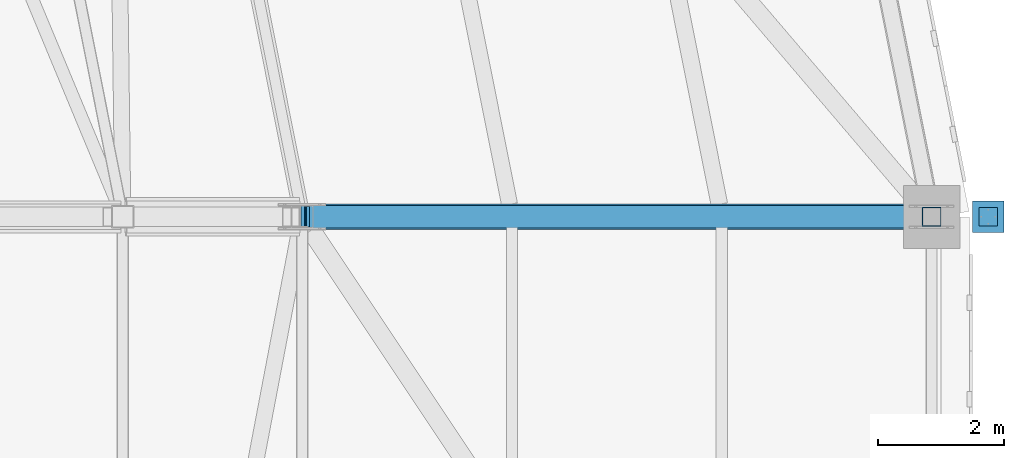
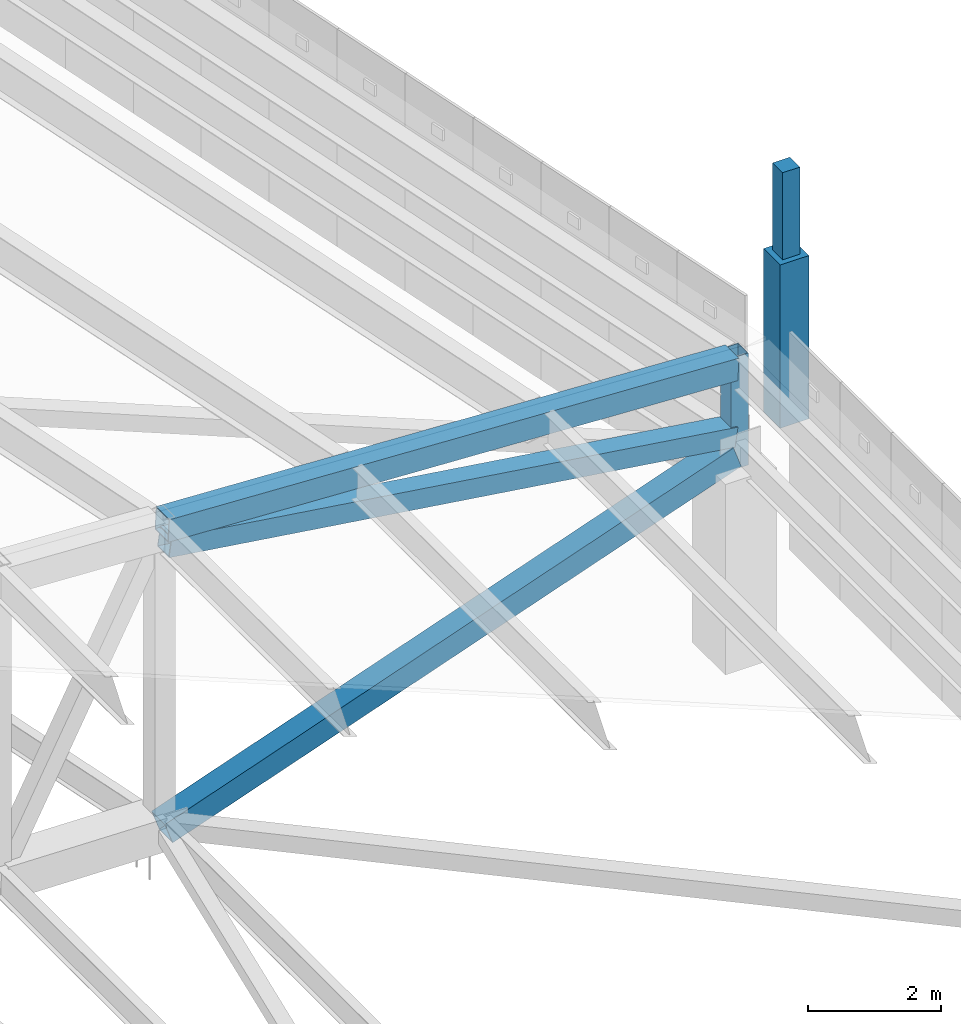
# One storey, part 98 of 278: 3 beams, 3 members.
"""IFC4 building model written with IfcOpenShell, lengths in metres."""

from ifc_helpers import new_model, si_unit, direction, frame, origin, origin_2d, place, context, subcontext, project, spatial, rectangle, hollow_rectangle, extrude, material, material_profile, profile_set, type_object, element, save


model = new_model("IFC4")

# Units and contexts
model_context = context("Model", 3, precision=1e-05, world=origin(), true_north=direction((0.0, 1.0)))
body_context = subcontext(model_context, "Body", "Model", "MODEL_VIEW")
ifc_project = project(units=[si_unit("LENGTHUNIT", "METRE"), si_unit("AREAUNIT", "SQUARE_METRE"), si_unit("VOLUMEUNIT", "CUBIC_METRE"), si_unit("PLANEANGLEUNIT", "RADIAN"), si_unit("MASSUNIT", "GRAM", prefix="KILO")], contexts=[model_context])

# Site, building, storey
site_placement = place(None, origin())
site = spatial("IfcSite", under=ifc_project, at=site_placement, CompositionType="ELEMENT")
building_placement = place(site_placement, origin())
building = spatial("IfcBuilding", under=site, at=building_placement, Name="Ogive Plaza Stadium", CompositionType="ELEMENT")
storey_placement = place(building_placement, frame((0.0, 0.0, 29.0)))
storey = spatial("IfcBuildingStorey", under=building, at=storey_placement, Name="Roof", CompositionType="ELEMENT", Elevation=29.0)

# Members
ifc_material_1 = material(Name="Concrete C45/55 precast", Category="concrete")
ifc_material_profile_1 = material_profile(ifc_material_1, rectangle(XDim=0.5, YDim=0.5, at=origin_2d()), Name="RC 500x500")
ifc_profile_set_1 = profile_set([ifc_material_profile_1], Name="Concrete C45/55 precast")
member_type_1 = type_object("IfcMemberType", Name="Precast pinnacle 500x500", PredefinedType="POST", material=ifc_profile_set_1)
member_1_placement = place(storey_placement, frame((84.89990234375, 52.5, 4.0), z_axis=(0.0, 0.0, 1.0), x_axis=(0.0, 1.0, 0.0)))
element("IfcMember", 1, at=member_1_placement, inside=storey, type_object=member_type_1, Name="PINNACLE R01", PredefinedType="POST", context=body_context, shape_type="SweptSolid", body=[
    extrude(rectangle(XDim=0.5, YDim=0.5, at=origin_2d()), origin(), (0.0, 0.0, 1.0), 3.0),
])
ifc_material_2 = material(Name="Concrete C45/55 precast", Category="concrete")
ifc_material_profile_2 = material_profile(ifc_material_2, rectangle(XDim=0.300048828125, YDim=0.300048828125, at=origin_2d()), Name="RC 300x300")
ifc_profile_set_2 = profile_set([ifc_material_profile_2], Name="Concrete C45/55 precast")
member_type_2 = type_object("IfcMemberType", Name="Precast spire 300x300", PredefinedType="MEMBER", material=ifc_profile_set_2)
member_2_placement = place(storey_placement, frame((84.89990234375, 52.5, 7.0), z_axis=(0.0, 0.0, 1.0), x_axis=(0.0, 1.0, 0.0)))
element("IfcMember", 2, at=member_2_placement, inside=storey, type_object=member_type_2, Name="SPIRE R01", PredefinedType="MEMBER", context=body_context, shape_type="SweptSolid", body=[
    extrude(rectangle(XDim=0.300048828125, YDim=0.300048828125, at=origin_2d()), origin(), (0.0, 0.0, 1.0), 1.60009765625),
])

# Beams
ifc_material_3 = material(Name="Steel ASTM A500 Grade C", Category="steel")
ifc_material_profile_3 = material_profile(ifc_material_3, hollow_rectangle(XDim=0.406494140625, YDim=0.406494140625, WallThickness=0.0146484375, at=origin_2d()), Name="HSS16X16X5/8")
ifc_profile_set_3 = profile_set([ifc_material_profile_3], Name="Steel ASTM A500 Grade C")
beam_type_1 = type_object("IfcBeamType", Name="Roof truss back-span bottom chord HSS16X16X5/8", PredefinedType="BEAM", material=ifc_profile_set_3)
beam_1_placement = place(storey_placement, frame((74.050048828125, 52.5, 0.232666015625), z_axis=(0.943851085966, 0.0, 0.330371196567), x_axis=(0.0, 1.0, 0.0)))
element("IfcBeam", 3, at=beam_1_placement, inside=storey, type_object=beam_type_1, Name="ROOF TRUSS T01 BOTTOM CHORD 11", PredefinedType="BEAM", context=body_context, shape_type="SweptSolid", body=[
    extrude(hollow_rectangle(XDim=0.406494140625, YDim=0.406494140625, WallThickness=0.0146484375, at=origin_2d()), origin(), (0.0, 0.0, 1.0), 10.470703125),
])
ifc_material_4 = material(Name="Steel ASTM A500 Grade C", Category="steel")
ifc_material_profile_4 = material_profile(ifc_material_4, hollow_rectangle(XDim=0.406494140625, YDim=0.406494140625, WallThickness=0.0146484375, at=origin_2d()), Name="HSS16X16X5/8")
ifc_profile_set_4 = profile_set([ifc_material_profile_4], Name="Steel ASTM A500 Grade C")
beam_type_2 = type_object("IfcBeamType", Name="Roof truss back-span top chord HSS16X16X5/8", PredefinedType="BEAM", material=ifc_profile_set_4)
beam_2_placement = place(storey_placement, frame((74.050048828125, 52.5, 5.7939453125), z_axis=(0.998752953021, 0.0, -0.049925332571), x_axis=(0.0, 1.0, 0.0)))
element("IfcBeam", 4, at=beam_2_placement, inside=storey, type_object=beam_type_2, Name="ROOF TRUSS T01 TOP CHORD 11", PredefinedType="BEAM", context=body_context, shape_type="SweptSolid", body=[
    extrude(hollow_rectangle(XDim=0.406494140625, YDim=0.406494140625, WallThickness=0.0146484375, at=origin_2d()), origin(), (0.0, 0.0, 1.0), 9.912353515625),
])

# Member
ifc_material_5 = material(Name="Steel ASTM A500 Grade C", Category="steel")
ifc_material_profile_5 = material_profile(ifc_material_5, hollow_rectangle(XDim=0.355712890625, YDim=0.355712890625, WallThickness=0.0146484375, at=origin_2d()), Name="HSS14X14X5/8")
ifc_profile_set_5 = profile_set([ifc_material_profile_5], Name="Steel ASTM A500 Grade C")
member_type_3 = type_object("IfcMemberType", Name="Roof truss back-stay HSS14X14X5/8", PredefinedType="BRACE", material=ifc_profile_set_5)
member_3_placement = place(storey_placement, frame((74.093017578125, 52.5, 5.45654296875), z_axis=(0.989844100519, 0.0, -0.142157154826), x_axis=(0.0, 1.0, 0.0)))
element("IfcMember", 5, at=member_3_placement, inside=storey, type_object=member_type_3, Name="BACK-STAY T01", PredefinedType="BRACE", context=body_context, shape_type="SweptSolid", body=[
    extrude(hollow_rectangle(XDim=0.355712890625, YDim=0.355712890625, WallThickness=0.0146484375, at=origin_2d()), origin(), (0.0, 0.0, 1.0), 9.9404296875),
])

# Beam
ifc_material_6 = material(Name="Steel ASTM A500 Grade C", Category="steel")
ifc_material_profile_6 = material_profile(ifc_material_6, hollow_rectangle(XDim=0.3046875, YDim=0.3046875, WallThickness=0.01171875, at=origin_2d()), Name="HSS12X12X1/2")
ifc_profile_set_6 = profile_set([ifc_material_profile_6], Name="Steel ASTM A500 Grade C")
beam_type_3 = type_object("IfcBeamType", Name="Roof truss post HSS12X12X1/2", PredefinedType="BEAM", material=ifc_profile_set_6)
beam_3_placement = place(storey_placement, frame((84.0, 52.5, 3.43994140625), z_axis=(0.0, 0.0, 1.0), x_axis=(0.0, 1.0, 0.0)))
element("IfcBeam", 6, at=beam_3_placement, inside=storey, type_object=beam_type_3, Name="ROOF TRUSS T01 POST 12", PredefinedType="BEAM", context=body_context, shape_type="SweptSolid", body=[
    extrude(hollow_rectangle(XDim=0.3046875, YDim=0.3046875, WallThickness=0.01171875, at=origin_2d()), origin(), (0.0, 0.0, 1.0), 2.06005859375),
])

save(model, "model.ifc")
